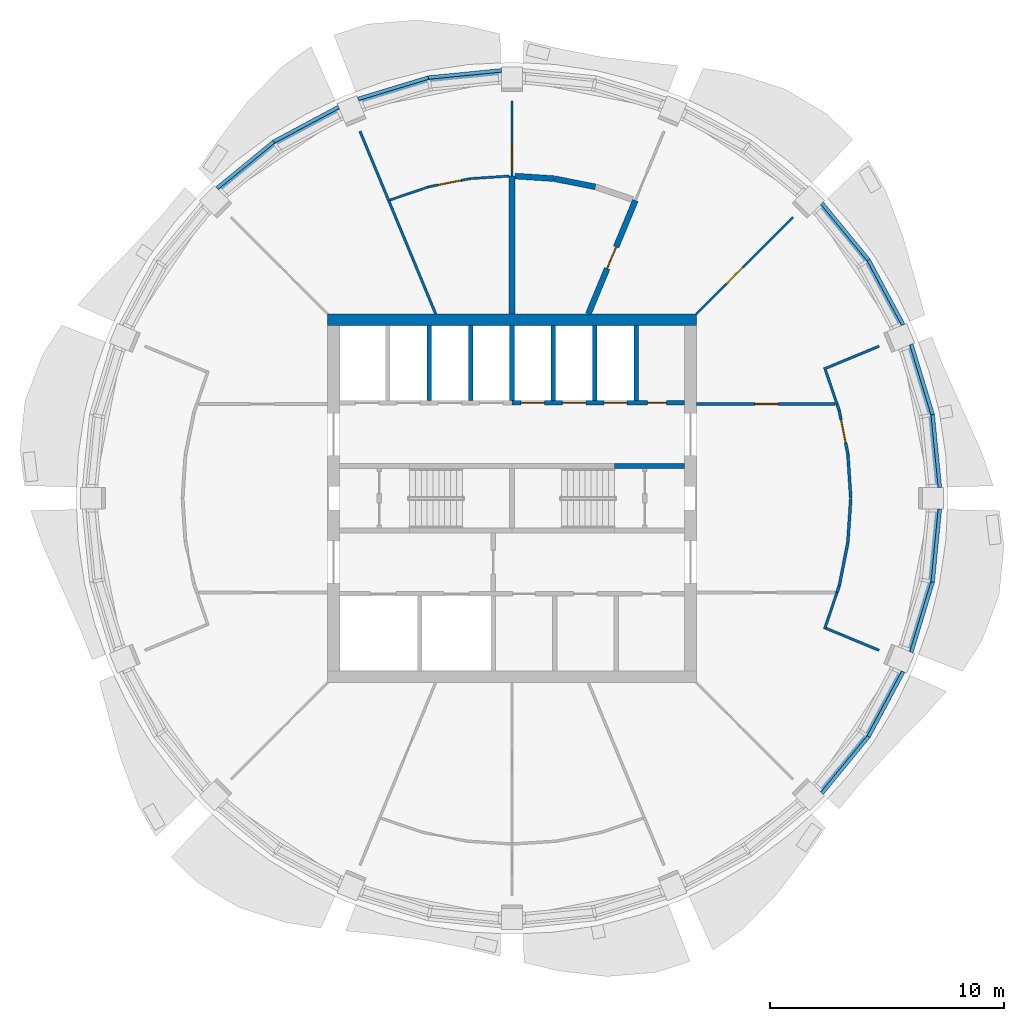
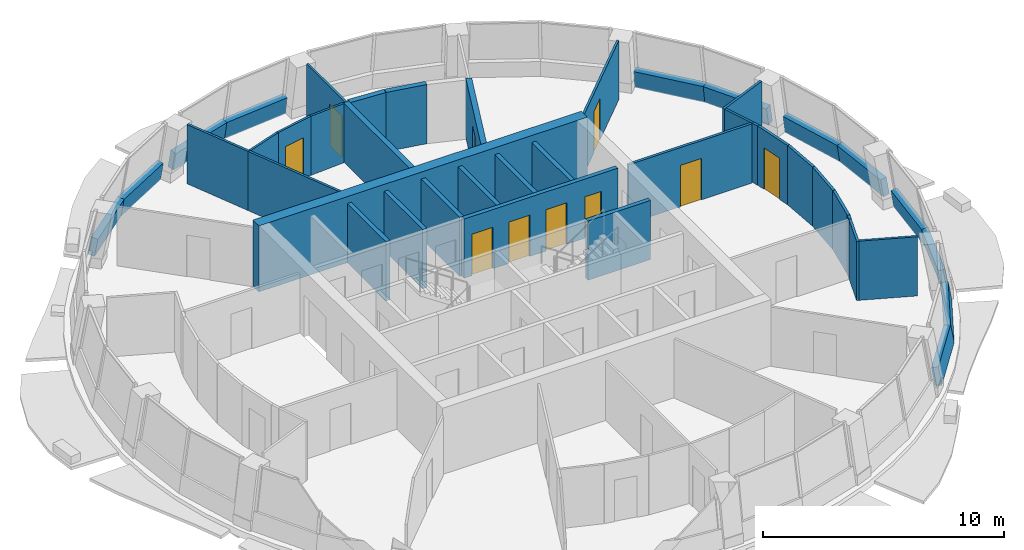
# One storey, part 6 of 11: 43 walls, 10 doors, 10 openings.
"""IFC4 building model written with IfcOpenShell, lengths in metres."""

from ifc_helpers import new_model, si_unit, direction, frame, frame_2d, origin, place, context, subcontext, project, spatial, polyline, rectangle, outline, extrude, material, layer, layer_set, type_object, element, fill, save


model = new_model("IFC4")

# Units and contexts
model_context = context("Model", 3, precision=1e-05, world=origin(), true_north=direction((0.0, 1.0)))
body_context = subcontext(model_context, "Body", "Model", "MODEL_VIEW")
ifc_project = project(units=[si_unit("LENGTHUNIT", "METRE"), si_unit("AREAUNIT", "SQUARE_METRE"), si_unit("VOLUMEUNIT", "CUBIC_METRE"), si_unit("PLANEANGLEUNIT", "RADIAN"), si_unit("MASSUNIT", "GRAM", prefix="KILO")], contexts=[model_context])

# Site, building, storey
site_placement = place(None, origin())
site = spatial("IfcSite", under=ifc_project, at=site_placement, CompositionType="ELEMENT")
building_placement = place(site_placement, origin())
building = spatial("IfcBuilding", under=site, at=building_placement, Name="Polderwave Tower", CompositionType="ELEMENT")
storey_placement = place(building_placement, frame((0.0, 0.0, 184.300048828125)))
storey = spatial("IfcBuildingStorey", under=building, at=storey_placement, Name="L49", CompositionType="ELEMENT", Elevation=184.300048828125)

# Walls
ifc_material_1 = material(Name="Concrete C60/75", Category="concrete")
ifc_layer_1 = layer(ifc_material_1, 0.5)
ifc_layer_set_1 = layer_set([ifc_layer_1], Name="CORE WALL 500 C60/75")
wall_type_1 = type_object("IfcWallType", Name="CORE WALL 500 C60/75", PredefinedType="SHEAR", material=ifc_layer_set_1)
wall_1_placement = place(storey_placement, frame((-7.8740234375, 7.6240234375, 0.0), z_axis=(0.0, 0.0, 1.0), x_axis=(1.0, 0.0, 0.0)))
element("IfcWall", 1, at=wall_1_placement, inside=storey, type_object=wall_type_1, Name="ST-CORE-L49-N", PredefinedType="SHEAR", context=body_context, shape_type="SweptSolid", body=[
    extrude(rectangle(XDim=15.748046875, YDim=0.5, at=frame_2d((7.8740234375, 0.0))), origin(), (0.0, 0.0, 1.0), 3.349853515625),
])
ifc_material_2 = material(Name="Concrete C50/60 (board-marked)", Category="concrete")
ifc_layer_2 = layer(ifc_material_2, 0.300048828125)
ifc_layer_set_2 = layer_set([ifc_layer_2], Name="Concrete spandrel upstand C50/60")
wall_type_2 = type_object("IfcWallType", Name="Concrete spandrel upstand C50/60", PredefinedType="SOLIDWALL", material=ifc_layer_set_2)
wall_2_placement = place(storey_placement, frame((18.35302734375, 0.452392578125, 0.0), z_axis=(0.981893053275, 0.096960979381, 0.162740899619), x_axis=(-0.098271198901, 0.995159671342, 9.28862e-07)))
element("IfcWall", 2, at=wall_2_placement, inside=storey, type_object=wall_type_2, Name="Spandrel L49 1a", PredefinedType="SOLIDWALL", context=body_context, shape_type="SweptSolid", body=[
    extrude(outline(polyline([(0.0, 0.0), (3.152467755896297, 1.3877787807814457e-17), (3.1376847264442196, 0.9120582234912598), (0.014659942947303004, 0.9120641313131268), (0.0, 0.0)])), origin(), (0.0, 0.0, -1.0), 0.300048828125),
])
wall_3_placement = place(storey_placement, frame((18.043212890625, 3.589599609375, 0.0), z_axis=(0.944194299341, 0.286418531815, 0.162670064008), x_axis=(-0.290285654048, 0.956940039415, 4.29464e-06)))
element("IfcWall", 3, at=wall_3_placement, inside=storey, type_object=wall_type_2, Name="Spandrel L49 1b", PredefinedType="SOLIDWALL", context=body_context, shape_type="SweptSolid", body=[
    extrude(outline(polyline([(0.0, 0.0), (3.151090520637664, 5.551115123125783e-17), (3.1366300493832275, 0.9120367272109542), (0.014419954122899748, 0.9120640324691018), (0.0, 0.0)])), origin(), (0.0, 0.0, -1.0), 0.300048828125),
])
wall_4_placement = place(storey_placement, frame((16.782470703125, 7.44140625, 0.0), z_axis=(0.870053087177, 0.465338838382, 0.162688017342), x_axis=(-0.471621015005, 0.881801348468, -6.731272e-06)))
element("IfcWall", 4, at=wall_4_placement, inside=storey, type_object=wall_type_2, Name="Spandrel L49 2a", PredefinedType="SOLIDWALL", context=body_context, shape_type="SweptSolid", body=[
    extrude(outline(polyline([(0.0, 0.0), (3.151771311111445, 2.7755575615628914e-17), (3.1370609121058677, 0.9120745174751712), (0.014772882519417198, 0.9120317148366439), (0.0, 0.0)])), origin(), (0.0, 0.0, -1.0), 0.300048828125),
])
wall_5_placement = place(storey_placement, frame((15.296142578125, 10.220703125, 0.0), z_axis=(0.762829436571, 0.625791219471, 0.162716318582), x_axis=(-0.634244680745, 0.773132385109, 6.479811e-06)))
element("IfcWall", 5, at=wall_5_placement, inside=storey, type_object=wall_type_2, Name="Spandrel L49 2b", PredefinedType="SOLIDWALL", context=body_context, shape_type="SweptSolid", body=[
    extrude(outline(polyline([(0.0, 0.0), (3.1512815606114035, 0.0), (3.1368278322630134, 0.9120368292562752), (0.014491008658826651, 0.9120780302099851), (0.0, 0.0)])), origin(), (0.0, 0.0, -1.0), 0.300048828125),
])
wall_6_placement = place(storey_placement, frame((-0.452392578125, 18.35302734375, 0.0), z_axis=(-0.096960979381, 0.981893053275, 0.162740899619), x_axis=(-0.995159671342, -0.098271198901, 9.28862e-07)))
element("IfcWall", 6, at=wall_6_placement, inside=storey, type_object=wall_type_2, Name="Spandrel L49 5a", PredefinedType="SOLIDWALL", context=body_context, shape_type="SweptSolid", body=[
    extrude(outline(polyline([(0.0, 0.0), (3.152467755896297, 1.3877787807814457e-17), (3.1376847264442196, 0.9120582234912598), (0.014659942947303004, 0.9120641313131268), (0.0, 0.0)])), origin(), (0.0, 0.0, -1.0), 0.300048828125),
])
wall_7_placement = place(storey_placement, frame((-3.589599609375, 18.043212890625, 0.0), z_axis=(-0.286418531815, 0.944194299341, 0.162670064008), x_axis=(-0.956940039415, -0.290285654048, 4.29464e-06)))
element("IfcWall", 7, at=wall_7_placement, inside=storey, type_object=wall_type_2, Name="Spandrel L49 5b", PredefinedType="SOLIDWALL", context=body_context, shape_type="SweptSolid", body=[
    extrude(outline(polyline([(0.0, 0.0), (3.151090520637664, 5.551115123125783e-17), (3.1366300493832275, 0.9120367272109542), (0.014419954122899748, 0.9120640324691018), (0.0, 0.0)])), origin(), (0.0, 0.0, -1.0), 0.300048828125),
])
wall_8_placement = place(storey_placement, frame((-7.44140625, 16.782470703125, 0.0), z_axis=(-0.465338838382, 0.870053087177, 0.162688017342), x_axis=(-0.881801348468, -0.471621015005, -6.731272e-06)))
element("IfcWall", 8, at=wall_8_placement, inside=storey, type_object=wall_type_2, Name="Spandrel L49 6a", PredefinedType="SOLIDWALL", context=body_context, shape_type="SweptSolid", body=[
    extrude(outline(polyline([(0.0, 0.0), (3.151771311111445, 2.7755575615628914e-17), (3.1370609121058677, 0.9120745174751712), (0.014772882519417198, 0.9120317148366439), (0.0, 0.0)])), origin(), (0.0, 0.0, -1.0), 0.300048828125),
])
wall_9_placement = place(storey_placement, frame((-10.220703125, 15.296142578125, 0.0), z_axis=(-0.625791219471, 0.762829436571, 0.162716318582), x_axis=(-0.773132385109, -0.634244680745, 6.479811e-06)))
element("IfcWall", 9, at=wall_9_placement, inside=storey, type_object=wall_type_2, Name="Spandrel L49 6b", PredefinedType="SOLIDWALL", context=body_context, shape_type="SweptSolid", body=[
    extrude(outline(polyline([(0.0, 0.0), (3.1512815606114035, 0.0), (3.1368278322630134, 0.9120368292562752), (0.014491008658826651, 0.9120780302099851), (0.0, 0.0)])), origin(), (0.0, 0.0, -1.0), 0.300048828125),
])
wall_10_placement = place(storey_placement, frame((13.29736328125, -12.656982421875, 0.0), z_axis=(0.762803450932, -0.625801401555, 0.162798959018), x_axis=(0.634263258583, 0.773117144297, -2.518315e-06)))
element("IfcWall", 10, at=wall_10_placement, inside=storey, type_object=wall_type_2, Name="Spandrel L49 15a", PredefinedType="SOLIDWALL", context=body_context, shape_type="SweptSolid", body=[
    extrude(outline(polyline([(0.0, 0.0), (3.151281562733108, 5.551115123125783e-17), (3.1367905498406303, 0.9120780374733293), (0.014642479521485686, 0.9120620253892199), (0.0, 0.0)])), origin(), (0.0, 0.0, -1.0), 0.300048828125),
])
wall_11_placement = place(storey_placement, frame((15.296142578125, -10.220703125, 0.0), z_axis=(0.870053087177, -0.465338838382, 0.162688017342), x_axis=(0.471621015005, 0.881801348468, 6.731272e-06)))
element("IfcWall", 11, at=wall_11_placement, inside=storey, type_object=wall_type_2, Name="Spandrel L49 15b", PredefinedType="SOLIDWALL", context=body_context, shape_type="SweptSolid", body=[
    extrude(outline(polyline([(0.0, 0.0), (3.151771311111445, -2.7755575615628914e-17), (3.136998428592028, 0.9120317148366439), (0.01471039900557733, 0.9120745174751711), (0.0, 0.0)])), origin(), (0.0, 0.0, -1.0), 0.300048828125),
])
wall_12_placement = place(storey_placement, frame((17.12841796875, -6.60498046875, 0.0), z_axis=(0.94416395345, -0.286447724297, 0.162794748846), x_axis=(0.290320348038, 0.956929514391, 1.683956e-06)))
element("IfcWall", 12, at=wall_12_placement, inside=storey, type_object=wall_type_2, Name="Spandrel L49 16a", PredefinedType="SOLIDWALL", context=body_context, shape_type="SweptSolid", body=[
    extrude(outline(polyline([(0.0, 0.0), (3.1510905215672507, 0.0), (3.1366705655894314, 0.9120640356514044), (0.014389596502516772, 0.912074742565234), (0.0, 0.0)])), origin(), (0.0, 0.0, -1.0), 0.300048828125),
])
wall_13_placement = place(storey_placement, frame((18.043212890625, -3.589599609375, 0.0), z_axis=(0.981910573414, -0.097001095349, 0.162611233681), x_axis=(0.098308707783, 0.995155966643, 5.283619e-06)))
element("IfcWall", 13, at=wall_13_placement, inside=storey, type_object=wall_type_2, Name="Spandrel L49 16b", PredefinedType="SOLIDWALL", context=body_context, shape_type="SweptSolid", body=[
    extrude(outline(polyline([(0.0, 0.0), (3.152467754283533, 0.0), (3.1378318079144165, 0.9120246132585604), (0.014783026234113573, 0.9120582179690098), (0.0, 0.0)])), origin(), (0.0, 0.0, -1.0), 0.300048828125),
])

# Wall, openings, doors
ifc_material_3 = material(Name="Concrete C50/60", Category="concrete")
ifc_layer_3 = layer(ifc_material_3, 0.199951171875)
ifc_layer_set_3 = layer_set([ifc_layer_3], Name="Core web wall 200")
wall_type_3 = type_object("IfcWallType", Name="Core web wall 200", PredefinedType="SHEAR", material=ifc_layer_set_3)
wall_14_placement = place(storey_placement, frame((0.0, 4.073974609375, 0.0), z_axis=(0.0, 0.0, 1.0), x_axis=(1.0, 0.0, 0.0)))
wall_14 = element("IfcWall", 14, at=wall_14_placement, inside=storey, type_object=wall_type_3, Name="L49 north front wall 2", PredefinedType="SHEAR", context=body_context, shape_type="SweptSolid", body=[
    extrude(rectangle(XDim=7.3740234375, YDim=0.199951171875, at=frame_2d((3.68701171875, 0.0))), origin(), (0.0, 0.0, 1.0), 3.0),
])
opening_1_placement = place(wall_14_placement, frame((0.38427734375, 0.0, 0.0)))
opening_1 = element("IfcOpeningElement", 15, at=opening_1_placement, cuts=wall_14, Name="Opening L49-D07", PredefinedType="OPENING", context=body_context, shape_type="SweptSolid", body=[
    extrude(rectangle(XDim=1.0, YDim=2.10009765625, at=frame_2d((0.5, 1.050048828125))), frame((0.0, 0.10986328125, 0.0), z_axis=(0.0, -1.0, 0.0), x_axis=(1.0, 0.0, 0.0)), (0.0, 0.0, 1.0), 0.219970703125),
])
opening_2_placement = place(wall_14_placement, frame((2.15283203125, 0.0, 0.0)))
opening_2 = element("IfcOpeningElement", 16, at=opening_2_placement, cuts=wall_14, Name="Opening L49-D08", PredefinedType="OPENING", context=body_context, shape_type="SweptSolid", body=[
    extrude(rectangle(XDim=1.0, YDim=2.10009765625, at=frame_2d((0.5, 1.050048828125))), frame((0.0, 0.10986328125, 0.0), z_axis=(0.0, -1.0, 0.0), x_axis=(1.0, 0.0, 0.0)), (0.0, 0.0, 1.0), 0.219970703125),
])
opening_3_placement = place(wall_14_placement, frame((3.921142578125, 0.0, 0.0)))
opening_3 = element("IfcOpeningElement", 17, at=opening_3_placement, cuts=wall_14, Name="Opening L49-D09", PredefinedType="OPENING", context=body_context, shape_type="SweptSolid", body=[
    extrude(rectangle(XDim=1.0, YDim=2.10009765625, at=frame_2d((0.5, 1.050048828125))), frame((0.0, 0.10986328125, 0.0), z_axis=(0.0, -1.0, 0.0), x_axis=(1.0, 0.0, 0.0)), (0.0, 0.0, 1.0), 0.219970703125),
])
opening_4_placement = place(wall_14_placement, frame((5.789794921875, 0.0, 0.0)))
opening_4 = element("IfcOpeningElement", 18, at=opening_4_placement, cuts=wall_14, Name="Opening L49-D18", PredefinedType="OPENING", context=body_context, shape_type="SweptSolid", body=[
    extrude(rectangle(XDim=0.800048828125, YDim=2.10009765625, at=frame_2d((0.39990234375, 1.050048828125))), frame((0.0, 0.10986328125, 0.0), z_axis=(0.0, -1.0, 0.0), x_axis=(1.0, 0.0, 0.0)), (0.0, 0.0, 1.0), 0.219970703125),
])
ifc_material_4 = material(Name="Stainless steel", Category="steel")
door_type_1 = type_object("IfcDoorType", Name="Lift landing door 1000", OperationType="DOUBLE_DOOR_SLIDING", PredefinedType="DOOR", material=ifc_material_4)
door_1_placement = place(opening_1_placement, frame((1.0, 0.0, 0.0), z_axis=(0.0, 0.0, 1.0), x_axis=(-1.0, 0.0, 0.0)))
door_1 = element("IfcDoor", 19, at=door_1_placement, inside=storey, type_object=door_type_1, Name="Lift HL5 landing door", OperationType="DOUBLE_DOOR_SLIDING", OverallHeight=2.10009765625, OverallWidth=1.0, PredefinedType="DOOR", context=body_context, shape_type="SweptSolid", body=[
    extrude(rectangle(XDim=1.0, YDim=2.10009765625, at=frame_2d((0.5, 1.050048828125))), frame((0.0, 0.02490234375, 0.0), z_axis=(0.0, -1.0, 0.0), x_axis=(1.0, 0.0, 0.0)), (0.0, 0.0, 1.0), 0.050048828125),
])
fill(opening_1, door_1)
door_2_placement = place(opening_2_placement, frame((1.0, 0.0, 0.0), z_axis=(0.0, 0.0, 1.0), x_axis=(-1.0, 0.0, 0.0)))
door_2 = element("IfcDoor", 20, at=door_2_placement, inside=storey, type_object=door_type_1, Name="Lift HL6 landing door", OperationType="DOUBLE_DOOR_SLIDING", OverallHeight=2.10009765625, OverallWidth=1.0, PredefinedType="DOOR", context=body_context, shape_type="SweptSolid", body=[
    extrude(rectangle(XDim=1.0, YDim=2.10009765625, at=frame_2d((0.5, 1.050048828125))), frame((0.0, 0.02490234375, 0.0), z_axis=(0.0, -1.0, 0.0), x_axis=(1.0, 0.0, 0.0)), (0.0, 0.0, 1.0), 0.050048828125),
])
fill(opening_2, door_2)
door_3_placement = place(opening_3_placement, frame((1.0, 0.0, 0.0), z_axis=(0.0, 0.0, 1.0), x_axis=(-1.0, 0.0, 0.0)))
door_3 = element("IfcDoor", 21, at=door_3_placement, inside=storey, type_object=door_type_1, Name="Lift HL7 landing door", OperationType="DOUBLE_DOOR_SLIDING", OverallHeight=2.10009765625, OverallWidth=1.0, PredefinedType="DOOR", context=body_context, shape_type="SweptSolid", body=[
    extrude(rectangle(XDim=1.0, YDim=2.10009765625, at=frame_2d((0.5, 1.050048828125))), frame((0.0, 0.02490234375, 0.0), z_axis=(0.0, -1.0, 0.0), x_axis=(1.0, 0.0, 0.0)), (0.0, 0.0, 1.0), 0.050048828125),
])
fill(opening_3, door_3)
ifc_material_5 = material(Name="Steel fire door", Category="steel")
door_type_2 = type_object("IfcDoorType", Name="Riser door 800", OperationType="NOTDEFINED", PredefinedType="DOOR", material=ifc_material_5)
door_4_placement = place(opening_4_placement, frame((0.800048828125, 0.0, 0.0), z_axis=(0.0, 0.0, 1.0), x_axis=(-1.0, 0.0, 0.0)))
door_4 = element("IfcDoor", 22, at=door_4_placement, inside=storey, type_object=door_type_2, Name="Riser door", OperationType="SINGLE_SWING_LEFT", OverallHeight=2.10009765625, OverallWidth=0.800048828125, PredefinedType="DOOR", context=body_context, shape_type="SweptSolid", body=[
    extrude(rectangle(XDim=0.800048828125, YDim=2.10009765625, at=frame_2d((0.39990234375, 1.050048828125))), frame((0.0, 0.02490234375, 0.0), z_axis=(0.0, -1.0, 0.0), x_axis=(1.0, 0.0, 0.0)), (0.0, 0.0, 1.0), 0.050048828125),
])
fill(opening_4, door_4)

# Walls
wall_15_placement = place(storey_placement, frame((4.3740234375, 1.375, 0.0), z_axis=(0.0, 0.0, 1.0), x_axis=(1.0, 0.0, 0.0)))
element("IfcWall", 23, at=wall_15_placement, inside=storey, type_object=wall_type_3, Name="L49 north stair wall 4", PredefinedType="SHEAR", context=body_context, shape_type="SweptSolid", body=[
    extrude(rectangle(XDim=3.0, YDim=0.199951171875, at=frame_2d((1.5, 0.0))), origin(), (0.0, 0.0, 1.0), 3.0),
])
ifc_material_6 = material(Name="Fire-resisting board on steel studs", Category="steel")
ifc_layer_4 = layer(ifc_material_6, 0.125)
ifc_layer_set_4 = layer_set([ifc_layer_4], Name="Corridor wall 125 mm EI 60")
wall_type_4 = type_object("IfcWallType", Name="Corridor wall 125 mm EI 60", PredefinedType="PARTITIONING", material=ifc_layer_set_4)
for number, where, z_axis, x_axis, name in (
    (24, (13.882080078125, 4.0244140625, 0.0), (0.0, 0.0, 1.0), (0.321511421405, -0.946905700641, 0.0), "IN-L49-W001"),
    (25, (13.9755859375, -3.7490234375, 0.0), (0.0, 0.0, 1.0), (-0.321511421405, -0.946905700641, 0.0), "IN-L49-W002"),
):
    element("IfcWall", number, at=place(storey_placement, frame(where, z_axis=z_axis, x_axis=x_axis)), inside=storey, type_object=wall_type_4, Name=name, PredefinedType="PARTITIONING", context=body_context, shape_type="SweptSolid", body=[
        extrude(rectangle(XDim=0.290771484375, YDim=0.125, at=frame_2d((0.1455078125, 0.0))), origin(), (0.0, 0.0, 1.0), 3.0),
    ])

# Wall, opening, door
wall_16_placement = place(storey_placement, frame((13.977783203125, 3.7412109375, 0.0), z_axis=(0.0, 0.0, 1.0), x_axis=(0.195069832264, -0.980789355846, 0.0)))
wall_16 = element("IfcWall", 26, at=wall_16_placement, inside=storey, type_object=wall_type_4, Name="IN-L49-W003", PredefinedType="PARTITIONING", context=body_context, shape_type="SweptSolid", body=[
    extrude(rectangle(XDim=1.884765625, YDim=0.125, at=frame_2d((0.9423828125, 0.0))), origin(), (0.0, 0.0, 1.0), 3.0),
])
opening_5_placement = place(wall_16_placement, frame((0.39990234375, 0.0, 0.0)))
opening_5 = element("IfcOpeningElement", 27, at=opening_5_placement, cuts=wall_16, Name="Opening L49-D50", PredefinedType="OPENING", context=body_context, shape_type="SweptSolid", body=[
    extrude(rectangle(XDim=1.0, YDim=2.10009765625, at=frame_2d((0.5, 1.050048828125))), frame((0.0, 0.072509765625, 0.0), z_axis=(0.0, -1.0, 0.0), x_axis=(1.0, 0.0, 0.0)), (0.0, 0.0, 1.0), 0.14501953125),
])
ifc_material_7 = material(Name="Timber fire door leaf", Category="wood")
door_type_3 = type_object("IfcDoorType", Name="Fire door FD30S 1000 x 2100", OperationType="NOTDEFINED", PredefinedType="DOOR", material=ifc_material_7)
door_5_placement = place(opening_5_placement, origin())
door_5 = element("IfcDoor", 28, at=door_5_placement, inside=storey, type_object=door_type_3, Name="Door L49-D50", OperationType="SINGLE_SWING_LEFT", OverallHeight=2.10009765625, OverallWidth=1.0, PredefinedType="DOOR", context=body_context, shape_type="SweptSolid", body=[
    extrude(rectangle(XDim=1.0, YDim=2.10009765625, at=frame_2d((0.5, 1.050048828125))), frame((0.0, 0.02490234375, 0.0), z_axis=(0.0, -1.0, 0.0), x_axis=(1.0, 0.0, 0.0)), (0.0, 0.0, 1.0), 0.050048828125),
])
fill(opening_5, door_5)

# Walls
wall_17_placement = place(storey_placement, frame((14.345458984375, -1.892578125, 0.0), z_axis=(0.0, 0.0, 1.0), x_axis=(-0.195069832264, -0.980789355846, 0.0)))
element("IfcWall", 29, at=wall_17_placement, inside=storey, type_object=wall_type_4, Name="IN-L49-W004", PredefinedType="PARTITIONING", context=body_context, shape_type="SweptSolid", body=[
    extrude(rectangle(XDim=1.884765625, YDim=0.125, at=frame_2d((0.9423828125, 0.0))), origin(), (0.0, 0.0, 1.0), 3.0),
])
for number, where, z_axis, x_axis, name in (
    (30, (14.346435546875, 1.884521484375, 0.0), (0.0, 0.0, 1.0), (0.065426898124, -0.997857365059, 0.0), "IN-L49-W005"),
    (31, (14.4697265625, -0.004150390625, 0.0), (0.0, 0.0, 1.0), (-0.065426898124, -0.997857365059, 0.0), "IN-L49-W006"),
):
    element("IfcWall", number, at=place(storey_placement, frame(where, z_axis=z_axis, x_axis=x_axis)), inside=storey, type_object=wall_type_4, Name=name, PredefinedType="PARTITIONING", context=body_context, shape_type="SweptSolid", body=[
        extrude(rectangle(XDim=1.884521484375, YDim=0.125, at=frame_2d((0.9423828125, 0.0))), origin(), (0.0, 0.0, 1.0), 3.0),
    ])

# Wall, opening, door
wall_18_placement = place(storey_placement, frame((7.8740234375, 4.0244140625, 0.0), z_axis=(0.0, 0.0, 1.0), x_axis=(1.0, 0.0, 0.0)))
wall_18 = element("IfcWall", 32, at=wall_18_placement, inside=storey, type_object=wall_type_4, Name="IN-L49-W007", PredefinedType="PARTITIONING", context=body_context, shape_type="SweptSolid", body=[
    extrude(rectangle(XDim=5.9208984375, YDim=0.125, at=frame_2d((2.96044921875, 0.0))), origin(), (0.0, 0.0, 1.0), 3.0),
])
opening_6_placement = place(wall_18_placement, frame((2.5, 0.0, 0.0)))
opening_6 = element("IfcOpeningElement", 33, at=opening_6_placement, cuts=wall_18, Name="Opening L49-D51", PredefinedType="OPENING", context=body_context, shape_type="SweptSolid", body=[
    extrude(rectangle(XDim=1.0, YDim=2.10009765625, at=frame_2d((0.5, 1.050048828125))), frame((0.0, 0.072509765625, 0.0), z_axis=(0.0, -1.0, 0.0), x_axis=(1.0, 0.0, 0.0)), (0.0, 0.0, 1.0), 0.14501953125),
])
door_6_placement = place(opening_6_placement, origin())
door_6 = element("IfcDoor", 34, at=door_6_placement, inside=storey, type_object=door_type_3, Name="Door L49-D51", OperationType="SINGLE_SWING_RIGHT", OverallHeight=2.10009765625, OverallWidth=1.0, PredefinedType="DOOR", context=body_context, shape_type="SweptSolid", body=[
    extrude(rectangle(XDim=1.0, YDim=2.10009765625, at=frame_2d((0.5, 1.050048828125))), frame((0.0, 0.02490234375, 0.0), z_axis=(0.0, -1.0, 0.0), x_axis=(1.0, 0.0, 0.0)), (0.0, 0.0, 1.0), 0.050048828125),
])
fill(opening_6, door_6)

ifc_material_8 = material(Name="Plasterboard on steel studs", Category="steel")
ifc_layer_5 = layer(ifc_material_8, 0.10009765625)
ifc_layer_set_5 = layer_set([ifc_layer_5], Name="Partition 100 mm plasterboard on steel studs")
wall_type_5 = type_object("IfcWallType", Name="Partition 100 mm plasterboard on steel studs", PredefinedType="PARTITIONING", material=ifc_layer_set_5)
wall_19_placement = place(storey_placement, frame((7.8740234375, 7.8740234375, 0.0), z_axis=(0.0, 0.0, 1.0), x_axis=(0.707106781187, 0.707106781187, 0.0)))
wall_19 = element("IfcWall", 35, at=wall_19_placement, inside=storey, type_object=wall_type_5, Name="IN-L49-W021", PredefinedType="PARTITIONING", context=body_context, shape_type="SweptSolid", body=[
    extrude(rectangle(XDim=5.834228515625, YDim=0.10009765625, at=frame_2d((2.9169921875, 0.0))), origin(), (0.0, 0.0, 1.0), 3.0),
])
opening_7_placement = place(wall_19_placement, frame((1.800048828125, 0.0, 0.0)))
opening_7 = element("IfcOpeningElement", 36, at=opening_7_placement, cuts=wall_19, Name="Opening L49-D56", PredefinedType="OPENING", context=body_context, shape_type="SweptSolid", body=[
    extrude(rectangle(XDim=1.0, YDim=2.10009765625, at=frame_2d((0.5, 1.050048828125))), frame((0.0, 0.06005859375, 0.0), z_axis=(0.0, -1.0, 0.0), x_axis=(1.0, 0.0, 0.0)), (0.0, 0.0, 1.0), 0.1201171875),
])
ifc_material_9 = material(Name="Timber veneer door leaf", Category="wood")
door_type_4 = type_object("IfcDoorType", Name="Single door 1000 x 2100", OperationType="NOTDEFINED", PredefinedType="DOOR", material=ifc_material_9)
door_7_placement = place(opening_7_placement, origin())
door_7 = element("IfcDoor", 37, at=door_7_placement, inside=storey, type_object=door_type_4, Name="Door L49-D56", OperationType="SINGLE_SWING_LEFT", OverallHeight=2.10009765625, OverallWidth=1.0, PredefinedType="DOOR", context=body_context, shape_type="SweptSolid", body=[
    extrude(rectangle(XDim=1.0, YDim=2.10009765625, at=frame_2d((0.5, 1.050048828125))), frame((0.0, 0.02490234375, 0.0), z_axis=(0.0, -1.0, 0.0), x_axis=(1.0, 0.0, 0.0)), (0.0, 0.0, 1.0), 0.050048828125),
])
fill(opening_7, door_7)

wall_20_placement = place(storey_placement, frame((0.0, 13.77001953125, 0.0), z_axis=(0.0, 0.0, 1.0), x_axis=(0.0, 1.0, 0.0)))
wall_20 = element("IfcWall", 38, at=wall_20_placement, inside=storey, type_object=wall_type_5, Name="IN-L49-W028", PredefinedType="PARTITIONING", context=body_context, shape_type="SweptSolid", body=[
    extrude(rectangle(XDim=3.199951171875, YDim=0.10009765625, at=frame_2d((1.60009765625, 0.0))), origin(), (0.0, 0.0, 1.0), 3.0),
])
opening_8_placement = place(wall_20_placement, frame((0.300048828125, 0.0, 0.0)))
opening_8 = element("IfcOpeningElement", 39, at=opening_8_placement, cuts=wall_20, Name="Opening L49-D59", PredefinedType="OPENING", context=body_context, shape_type="SweptSolid", body=[
    extrude(rectangle(XDim=1.0, YDim=2.10009765625, at=frame_2d((0.5, 1.050048828125))), frame((0.0, 0.06005859375, 0.0), z_axis=(0.0, -1.0, 0.0), x_axis=(1.0, 0.0, 0.0)), (0.0, 0.0, 1.0), 0.1201171875),
])
door_8_placement = place(opening_8_placement, origin())
door_8 = element("IfcDoor", 40, at=door_8_placement, inside=storey, type_object=door_type_4, Name="Door L49-D59", OperationType="SINGLE_SWING_LEFT", OverallHeight=2.10009765625, OverallWidth=1.0, PredefinedType="DOOR", context=body_context, shape_type="SweptSolid", body=[
    extrude(rectangle(XDim=1.0, YDim=2.10009765625, at=frame_2d((0.5, 1.050048828125))), frame((0.0, 0.02490234375, 0.0), z_axis=(0.0, -1.0, 0.0), x_axis=(1.0, 0.0, 0.0)), (0.0, 0.0, 1.0), 0.050048828125),
])
fill(opening_8, door_8)

# Wall
wall_21_placement = place(storey_placement, frame((-5.21435546875, 12.740478515625, 0.0), z_axis=(0.0, 0.0, 1.0), x_axis=(0.946914638305, 0.321485097267, 0.0)))
element("IfcWall", 41, at=wall_21_placement, inside=storey, type_object=wall_type_5, Name="IN-L49-W029", PredefinedType="PARTITIONING", context=body_context, shape_type="SweptSolid", body=[
    extrude(rectangle(XDim=1.73974609375, YDim=0.10009765625, at=frame_2d((0.869873046875, 0.0))), origin(), (0.0, 0.0, 1.0), 3.0),
])

# Wall, opening, door
wall_22_placement = place(storey_placement, frame((-1.800537109375, 13.651611328125, 0.0), z_axis=(0.0, 0.0, 1.0), x_axis=(-0.980789397091, -0.195069624886, 0.0)))
wall_22 = element("IfcWall", 42, at=wall_22_placement, inside=storey, type_object=wall_type_5, Name="IN-L49-W030", PredefinedType="PARTITIONING", context=body_context, shape_type="SweptSolid", body=[
    extrude(rectangle(XDim=1.794677734375, YDim=0.10009765625, at=frame_2d((0.8974609375, 0.0))), origin(), (0.0, 0.0, 1.0), 3.0),
])
opening_9_placement = place(wall_22_placement, frame((0.39990234375, 0.0, 0.0)))
opening_9 = element("IfcOpeningElement", 43, at=opening_9_placement, cuts=wall_22, Name="Opening L49-D60", PredefinedType="OPENING", context=body_context, shape_type="SweptSolid", body=[
    extrude(rectangle(XDim=1.0, YDim=2.10009765625, at=frame_2d((0.5, 1.050048828125))), frame((0.0, 0.06005859375, 0.0), z_axis=(0.0, -1.0, 0.0), x_axis=(1.0, 0.0, 0.0)), (0.0, 0.0, 1.0), 0.1201171875),
])
door_9_placement = place(opening_9_placement, origin())
door_9 = element("IfcDoor", 44, at=door_9_placement, inside=storey, type_object=door_type_4, Name="Door L49-D60", OperationType="SINGLE_SWING_RIGHT", OverallHeight=2.10009765625, OverallWidth=1.0, PredefinedType="DOOR", context=body_context, shape_type="SweptSolid", body=[
    extrude(rectangle(XDim=1.0, YDim=2.10009765625, at=frame_2d((0.5, 1.050048828125))), frame((0.0, 0.02490234375, 0.0), z_axis=(0.0, -1.0, 0.0), x_axis=(1.0, 0.0, 0.0)), (0.0, 0.0, 1.0), 0.050048828125),
])
fill(opening_9, door_9)

# Walls
wall_23_placement = place(storey_placement, frame((-1.7939453125, 13.65234375, 0.0), z_axis=(0.0, 0.0, 1.0), x_axis=(0.997850681937, 0.065528746043, 0.0)))
element("IfcWall", 45, at=wall_23_placement, inside=storey, type_object=wall_type_5, Name="IN-L49-W031", PredefinedType="PARTITIONING", context=body_context, shape_type="SweptSolid", body=[
    extrude(rectangle(XDim=1.669189453125, YDim=0.10009765625, at=frame_2d((0.83447265625, 0.0))), origin(), (0.0, 0.0, 1.0), 3.0),
])
ifc_material_10 = material(Name="Acoustic double plasterboard on steel studs", Category="steel")
ifc_layer_6 = layer(ifc_material_10, 0.110107421875)
ifc_layer_set_6 = layer_set([ifc_layer_6], Name="Partition 110 mm acoustic double board")
wall_type_6 = type_object("IfcWallType", Name="Partition 110 mm acoustic double board", PredefinedType="PARTITIONING", material=ifc_layer_set_6)
wall_24_placement = place(storey_placement, frame((13.317626953125, 5.516357421875, 0.0), z_axis=(0.0, 0.0, 1.0), x_axis=(0.923880577549, 0.38268090941, 0.0)))
element("IfcWall", 46, at=wall_24_placement, inside=storey, type_object=wall_type_6, Name="IN-L49-W017", PredefinedType="PARTITIONING", context=body_context, shape_type="SweptSolid", body=[
    extrude(rectangle(XDim=2.55517578125, YDim=0.110107421875, at=frame_2d((1.277587890625, 0.0))), origin(), (0.0, 0.0, 1.0), 3.0),
])
wall_25_placement = place(storey_placement, frame((13.882080078125, 4.0244140625, 0.0), z_axis=(0.0, 0.0, 1.0), x_axis=(-0.321410663338, 0.946939905956, 0.0)))
element("IfcWall", 47, at=wall_25_placement, inside=storey, type_object=wall_type_6, Name="IN-L49-W018", PredefinedType="PARTITIONING", context=body_context, shape_type="SweptSolid", body=[
    extrude(rectangle(XDim=1.538818359375, YDim=0.110107421875, at=frame_2d((0.76953125, 0.0))), origin(), (0.0, 0.0, 1.0), 3.0),
])
wall_26_placement = place(storey_placement, frame((13.350830078125, -5.589599609375, 0.0), z_axis=(0.0, 0.0, 1.0), x_axis=(0.321407512479, 0.946940975416, 0.0)))
element("IfcWall", 48, at=wall_26_placement, inside=storey, type_object=wall_type_6, Name="IN-L49-W019", PredefinedType="PARTITIONING", context=body_context, shape_type="SweptSolid", body=[
    extrude(rectangle(XDim=1.65283203125, YDim=0.110107421875, at=frame_2d((0.826416015625, 0.0))), origin(), (0.0, 0.0, 1.0), 3.0),
])
wall_27_placement = place(storey_placement, frame((15.67822265625, -6.494140625, 0.0), z_axis=(0.0, 0.0, 1.0), x_axis=(-0.923862025559, 0.382725695152, 0.0)))
element("IfcWall", 49, at=wall_27_placement, inside=storey, type_object=wall_type_6, Name="IN-L49-W020", PredefinedType="PARTITIONING", context=body_context, shape_type="SweptSolid", body=[
    extrude(rectangle(XDim=2.441162109375, YDim=0.110107421875, at=frame_2d((1.220703125, 0.0))), origin(), (0.0, 0.0, 1.0), 3.0),
])
wall_28_placement = place(storey_placement, frame((-3.261474609375, 7.8740234375, 0.0), z_axis=(0.0, 0.0, 1.0), x_axis=(-0.382698345407, 0.923873355186, 0.0)))
element("IfcWall", 50, at=wall_28_placement, inside=storey, type_object=wall_type_6, Name="IN-L49-W032", PredefinedType="PARTITIONING", context=body_context, shape_type="SweptSolid", body=[
    extrude(rectangle(XDim=5.2470703125, YDim=0.110107421875, at=frame_2d((2.62353515625, 0.0))), origin(), (0.0, 0.0, 1.0), 3.0),
])
wall_29_placement = place(storey_placement, frame((-5.26953125, 12.7216796875, 0.0), z_axis=(0.0, 0.0, 1.0), x_axis=(-0.382675211785, 0.923882937544, 0.0)))
element("IfcWall", 51, at=wall_29_placement, inside=storey, type_object=wall_type_6, Name="IN-L49-W033", PredefinedType="PARTITIONING", context=body_context, shape_type="SweptSolid", body=[
    extrude(rectangle(XDim=3.2001953125, YDim=0.110107421875, at=frame_2d((1.60009765625, 0.0))), origin(), (0.0, 0.0, 1.0), 3.0),
])

# Wall, opening, door
ifc_material_11 = material(Name="Fire-resisting board on steel studs, mineral wool", Category="steel")
ifc_layer_7 = layer(ifc_material_11, 0.25)
ifc_layer_set_7 = layer_set([ifc_layer_7], Name="Plant room wall 250 mm EI 120")
wall_type_7 = type_object("IfcWallType", Name="Plant room wall 250 mm EI 120", PredefinedType="PARTITIONING", material=ifc_layer_set_7)
wall_30_placement = place(storey_placement, frame((3.261474609375, 7.8740234375, 0.0), z_axis=(0.0, 0.0, 1.0), x_axis=(0.382698345407, 0.923873355186, 0.0)))
wall_30 = element("IfcWall", 52, at=wall_30_placement, inside=storey, type_object=wall_type_7, Name="IN-L49-W022", PredefinedType="PARTITIONING", context=body_context, shape_type="SweptSolid", body=[
    extrude(rectangle(XDim=5.2470703125, YDim=0.25, at=frame_2d((2.62353515625, 0.0))), origin(), (0.0, 0.0, 1.0), 3.0),
])
opening_10_placement = place(wall_30_placement, frame((2.10009765625, 0.0, 0.0)))
opening_10 = element("IfcOpeningElement", 53, at=opening_10_placement, cuts=wall_30, Name="Opening L49-D57", PredefinedType="OPENING", context=body_context, shape_type="SweptSolid", body=[
    extrude(rectangle(XDim=1.0, YDim=2.10009765625, at=frame_2d((0.5, 1.050048828125))), frame((0.0, 0.135009765625, 0.0), z_axis=(0.0, -1.0, 0.0), x_axis=(1.0, 0.0, 0.0)), (0.0, 0.0, 1.0), 0.27001953125),
])
ifc_material_12 = material(Name="Steel plant door leaf", Category="steel")
door_type_5 = type_object("IfcDoorType", Name="Plant door FD60 1000 x 2100 steel", OperationType="NOTDEFINED", PredefinedType="DOOR", material=ifc_material_12)
door_10_placement = place(opening_10_placement, origin())
door_10 = element("IfcDoor", 54, at=door_10_placement, inside=storey, type_object=door_type_5, Name="Door L49-D57", OperationType="SINGLE_SWING_LEFT", OverallHeight=2.10009765625, OverallWidth=1.0, PredefinedType="DOOR", context=body_context, shape_type="SweptSolid", body=[
    extrude(rectangle(XDim=1.0, YDim=2.10009765625, at=frame_2d((0.5, 1.050048828125))), frame((0.0, 0.02490234375, 0.0), z_axis=(0.0, -1.0, 0.0), x_axis=(1.0, 0.0, 0.0)), (0.0, 0.0, 1.0), 0.050048828125),
])
fill(opening_10, door_10)

# Walls
wall_31_placement = place(storey_placement, frame((0.13330078125, 13.76123046875, 0.0), z_axis=(0.0, 0.0, 1.0), x_axis=(0.997854270927, -0.065474071153, 0.0)))
element("IfcWall", 55, at=wall_31_placement, inside=storey, type_object=wall_type_7, Name="IN-L49-W024", PredefinedType="PARTITIONING", context=body_context, shape_type="SweptSolid", body=[
    extrude(rectangle(XDim=1.659423828125, YDim=0.25, at=frame_2d((0.82958984375, 0.0))), origin(), (0.0, 0.0, 1.0), 3.0),
])
wall_32_placement = place(storey_placement, frame((1.805419921875, 13.650634765625, 0.0), z_axis=(0.0, 0.0, 1.0), x_axis=(0.980790558622, -0.195063784741, 0.0)))
element("IfcWall", 56, at=wall_32_placement, inside=storey, type_object=wall_type_7, Name="IN-L49-W025", PredefinedType="PARTITIONING", context=body_context, shape_type="SweptSolid", body=[
    extrude(rectangle(XDim=1.78466796875, YDim=0.25, at=frame_2d((0.892333984375, 0.0))), origin(), (0.0, 0.0, 1.0), 3.0),
])
wall_33_placement = place(storey_placement, frame((0.0, 7.8740234375, 0.0), z_axis=(0.0, 0.0, 1.0), x_axis=(0.0, 1.0, 0.0)))
element("IfcWall", 57, at=wall_33_placement, inside=storey, type_object=wall_type_7, Name="IN-L49-W027", PredefinedType="PARTITIONING", context=body_context, shape_type="SweptSolid", body=[
    extrude(rectangle(XDim=5.89599609375, YDim=0.25, at=frame_2d((2.947998046875, 0.0))), origin(), (0.0, 0.0, 1.0), 3.0),
])
ifc_material_13 = material(Name="Gypsum shaft wall system")
ifc_layer_8 = layer(ifc_material_13, 0.199951171875)
ifc_layer_set_8 = layer_set([ifc_layer_8], Name="Shaft wall 200")
wall_type_8 = type_object("IfcWallType", Name="Shaft wall 200", PredefinedType="PARTITIONING", material=ifc_layer_set_8)
for number, where, z_axis, x_axis, name in (
    (58, (-3.537109375, 4.174072265625, 0.0), (0.0, 0.0, 1.0), (0.0, 1.0, 0.0), "L49 lift shaft wall N2"),
    (59, (-1.7685546875, 4.174072265625, 0.0), (0.0, 0.0, 1.0), (0.0, 1.0, 0.0), "L49 lift shaft wall N3"),
    (60, (0.0, 4.174072265625, 0.0), (0.0, 0.0, 1.0), (0.0, 1.0, 0.0), "L49 lift shaft wall N4"),
    (61, (1.7685546875, 4.174072265625, 0.0), (0.0, 0.0, 1.0), (0.0, 1.0, 0.0), "L49 lift shaft wall N5"),
    (62, (3.537109375, 4.174072265625, 0.0), (0.0, 0.0, 1.0), (0.0, 1.0, 0.0), "L49 lift shaft wall N6"),
    (63, (5.305419921875, 4.174072265625, 0.0), (0.0, 0.0, 1.0), (0.0, 1.0, 0.0), "L49 lift shaft wall N7"),
):
    element("IfcWall", number, at=place(storey_placement, frame(where, z_axis=z_axis, x_axis=x_axis)), inside=storey, type_object=wall_type_8, Name=name, PredefinedType="PARTITIONING", context=body_context, shape_type="SweptSolid", body=[
        extrude(rectangle(XDim=3.199951171875, YDim=0.199951171875, at=frame_2d((1.60009765625, 0.0))), origin(), (0.0, 0.0, 1.0), 3.0),
    ])

save(model, "model.ifc")
